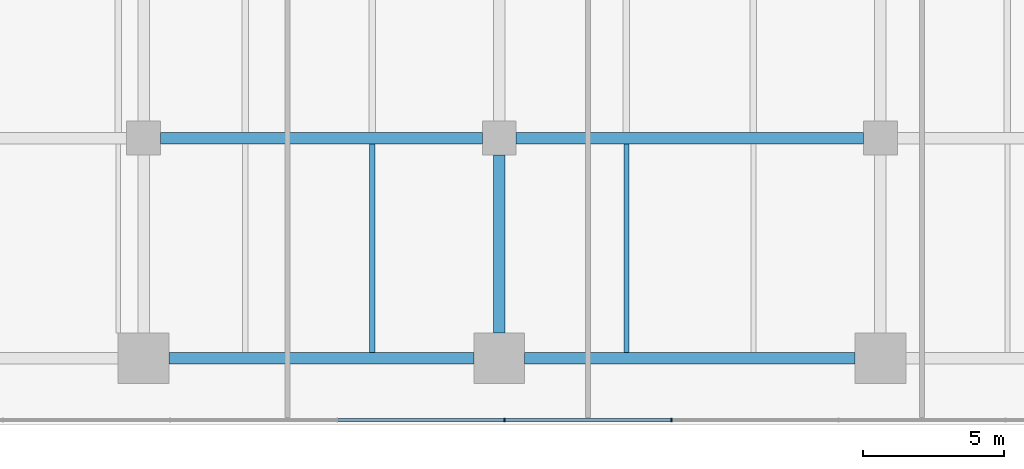
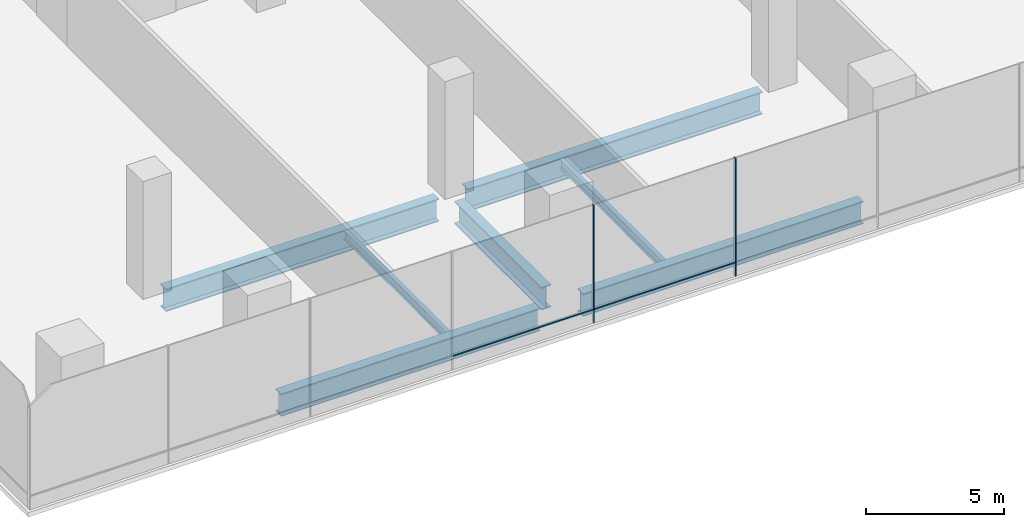
# One storey, part 3 of 26: 7 beams, 4 members, 1 element without a shape of its own.
"""IFC4 building model written with IfcOpenShell, lengths in metres."""

from ifc_helpers import new_model, si_unit, direction, frame, origin, origin_2d, place, context, subcontext, project, spatial, rectangle, i_section, extrude, material, layer, layer_set, material_profile, profile_set, type_object, element, aggregate, save


model = new_model("IFC4")

# Units and contexts
model_context = context("Model", 3, precision=1e-05, world=origin(), true_north=direction((0.0, 1.0)))
body_context = subcontext(model_context, "Body", "Model", "MODEL_VIEW")
ifc_project = project(units=[si_unit("LENGTHUNIT", "METRE"), si_unit("AREAUNIT", "SQUARE_METRE"), si_unit("VOLUMEUNIT", "CUBIC_METRE"), si_unit("PLANEANGLEUNIT", "RADIAN"), si_unit("MASSUNIT", "GRAM", prefix="KILO")], contexts=[model_context])

# Site, building, storey
site_placement = place(None, origin())
site = spatial("IfcSite", under=ifc_project, at=site_placement, CompositionType="ELEMENT")
building_placement = place(site_placement, origin())
building = spatial("IfcBuilding", under=site, at=building_placement, Name="Rattan Terrace Tower", CompositionType="ELEMENT")
storey_placement = place(building_placement, frame((0.0, 0.0, 7.199951171875)))
storey = spatial("IfcBuildingStorey", under=building, at=storey_placement, Name="L01", CompositionType="ELEMENT", Elevation=7.199951171875)

# Beams
ifc_material_1 = material(Name="Steel S355", Category="steel")
ifc_material_profile_1 = material_profile(ifc_material_1, i_section(OverallWidth=0.179931640625, OverallDepth=0.39990234375, WebThickness=0.008544921875, FlangeThickness=0.013427734375, FilletRadius=0.02099609375, at=origin_2d()), Name="IPE 400")
ifc_profile_set_1 = profile_set([ifc_material_profile_1], Name="Steel S355")
beam_type_1 = type_object("IfcBeamType", Name="Frame floor beam IPE 400", PredefinedType="JOIST", material=ifc_profile_set_1)
for number, where, z_axis, x_axis, name in (
    (1, (-18.0, -34.699951171875, -0.39990234375), (0.0, 1.0, 0.0), (-1.0, 0.0, 0.0), "bm-L01-005"),
    (2, (-9.0, -34.699951171875, -0.39990234375), (0.0, 1.0, 0.0), (-1.0, 0.0, 0.0), "bm-L01-006"),
):
    element("IfcBeam", number, at=place(storey_placement, frame(where, z_axis=z_axis, x_axis=x_axis)), inside=storey, type_object=beam_type_1, Name=name, PredefinedType="JOIST", context=body_context, shape_type="SweptSolid", body=[
        extrude(i_section(OverallWidth=0.179931640625, OverallDepth=0.39990234375, WebThickness=0.008544921875, FlangeThickness=0.013427734375, FilletRadius=0.02099609375, at=origin_2d()), origin(), (0.0, 0.0, 1.0), 7.39990234375),
    ])
ifc_material_2 = material(Name="Steel S460", Category="steel")
ifc_material_profile_2 = material_profile(ifc_material_2, i_section(OverallWidth=0.39990234375, OverallDepth=1.0, WebThickness=0.01806640625, FlangeThickness=0.044921875, at=origin_2d()), Name="PG 1000x400-18-45")
ifc_profile_set_2 = profile_set([ifc_material_profile_2], Name="Steel S460")
beam_type_2 = type_object("IfcBeamType", Name="Frame podium girder PG 1000x400-18-45", PredefinedType="USERDEFINED", material=ifc_profile_set_2)
beam_1_placement = place(storey_placement, frame((-25.199951171875, -34.89990234375, -0.699951171875), z_axis=(1.0, 0.0, 0.0), x_axis=(0.0, 1.0, 0.0)))
element("IfcBeam", 3, at=beam_1_placement, inside=storey, type_object=beam_type_2, Name="gdr-L01-002", ObjectType="PODIUM GIRDER", PredefinedType="USERDEFINED", context=body_context, shape_type="SweptSolid", body=[
    extrude(i_section(OverallWidth=0.39990234375, OverallDepth=1.0, WebThickness=0.01806640625, FlangeThickness=0.044921875, at=origin_2d()), origin(), (0.0, 0.0, 1.0), 10.800048828125),
])
beam_2_placement = place(storey_placement, frame((-12.60009765625, -34.89990234375, -0.699951171875), z_axis=(1.0, 0.0, 0.0), x_axis=(0.0, 1.0, 0.0)))
element("IfcBeam", 4, at=beam_2_placement, inside=storey, type_object=beam_type_2, Name="gdr-L01-003", ObjectType="PODIUM GIRDER", PredefinedType="USERDEFINED", context=body_context, shape_type="SweptSolid", body=[
    extrude(i_section(OverallWidth=0.39990234375, OverallDepth=1.0, WebThickness=0.01806640625, FlangeThickness=0.044921875, at=origin_2d()), origin(), (0.0, 0.0, 1.0), 11.7001953125),
])
beam_3_placement = place(storey_placement, frame((-13.5, -34.0, -0.699951171875), z_axis=(0.0, 1.0, 0.0), x_axis=(-1.0, 0.0, 0.0)))
element("IfcBeam", 5, at=beam_3_placement, inside=storey, type_object=beam_type_2, Name="gdr-L01-009", ObjectType="PODIUM GIRDER", PredefinedType="USERDEFINED", context=body_context, shape_type="SweptSolid", body=[
    extrude(i_section(OverallWidth=0.39990234375, OverallDepth=1.0, WebThickness=0.01806640625, FlangeThickness=0.044921875, at=origin_2d()), origin(), (0.0, 0.0, 1.0), 6.300048828125),
])
beam_4_placement = place(storey_placement, frame((-25.5, -27.10009765625, -0.699951171875), z_axis=(1.0, 0.0, 0.0), x_axis=(0.0, 1.0, 0.0)))
element("IfcBeam", 6, at=beam_4_placement, inside=storey, type_object=beam_type_2, Name="gdr-L01-015", ObjectType="PODIUM GIRDER", PredefinedType="USERDEFINED", context=body_context, shape_type="SweptSolid", body=[
    extrude(i_section(OverallWidth=0.39990234375, OverallDepth=1.0, WebThickness=0.01806640625, FlangeThickness=0.044921875, at=origin_2d()), origin(), (0.0, 0.0, 1.0), 11.39990234375),
])
beam_5_placement = place(storey_placement, frame((-12.89990234375, -27.10009765625, -0.699951171875), z_axis=(1.0, 0.0, 0.0), x_axis=(0.0, 1.0, 0.0)))
element("IfcBeam", 7, at=beam_5_placement, inside=storey, type_object=beam_type_2, Name="gdr-L01-016", ObjectType="PODIUM GIRDER", PredefinedType="USERDEFINED", context=body_context, shape_type="SweptSolid", body=[
    extrude(i_section(OverallWidth=0.39990234375, OverallDepth=1.0, WebThickness=0.01806640625, FlangeThickness=0.044921875, at=origin_2d()), origin(), (0.0, 0.0, 1.0), 12.2998046875),
])

# Curtain wall, members
ifc_material_3 = material(Name="Aluminium and glass", Category="aluminium")
ifc_layer = layer(ifc_material_3, 0.1201171875)
ifc_layer_set = layer_set([ifc_layer], Name="Station Storefront Curtain Wall")
curtain_wall_type = type_object("IfcCurtainWallType", Name="Station Storefront Curtain Wall", PredefinedType="NOTDEFINED", material=ifc_layer_set)
curtain_wall_placement = place(storey_placement, origin())
curtain_wall = element("IfcCurtainWall", 8, at=curtain_wall_placement, inside=storey, type_object=curtain_wall_type, Name="Storefront curtain wall L01-4", PredefinedType="NOTDEFINED")
ifc_material_4 = material(Name="Aluminium", Category="aluminium")
ifc_material_profile_3 = material_profile(ifc_material_4, rectangle(XDim=0.050048828125, YDim=0.1201171875, at=origin_2d()), Name="Aluminium 50x120")
ifc_profile_set_3 = profile_set([ifc_material_profile_3], Name="Aluminium")
member_type_1 = type_object("IfcMemberType", Name="Storefront CW Mullion 50x120", PredefinedType="MULLION", material=ifc_profile_set_3)
member_1_placement = place(storey_placement, frame((-13.320068359375, -37.080078125, 0.0), z_axis=(0.0, 0.0, 1.0), x_axis=(1.0, 0.0, 0.0)))
member_1 = element("IfcMember", 9, at=member_1_placement, type_object=member_type_1, Name="Mullion cwl-L01-004.5", PredefinedType="MULLION", context=body_context, shape_type="SweptSolid", body=[
    extrude(rectangle(XDim=0.050048828125, YDim=0.1201171875, at=origin_2d()), origin(), (0.0, 0.0, 1.0), 5.199951171875),
])
member_2_placement = place(storey_placement, frame((-7.39990234375, -37.080078125, 0.0), z_axis=(0.0, 0.0, 1.0), x_axis=(1.0, 0.0, 0.0)))
member_2 = element("IfcMember", 10, at=member_2_placement, type_object=member_type_1, Name="Mullion cwl-L01-004.6", PredefinedType="MULLION", context=body_context, shape_type="SweptSolid", body=[
    extrude(rectangle(XDim=0.050048828125, YDim=0.1201171875, at=origin_2d()), origin(), (0.0, 0.0, 1.0), 5.199951171875),
])
ifc_material_5 = material(Name="Aluminium", Category="aluminium")
ifc_material_profile_4 = material_profile(ifc_material_5, rectangle(XDim=0.10009765625, YDim=0.050048828125, at=origin_2d()), Name="Aluminium 100x50")
ifc_profile_set_4 = profile_set([ifc_material_profile_4], Name="Aluminium")
member_type_2 = type_object("IfcMemberType", Name="Storefront CW Transom 100x50", PredefinedType="USERDEFINED", material=ifc_profile_set_4)
member_3_placement = place(storey_placement, frame((-19.215087890625, -37.080078125, 0.60009765625), z_axis=(1.0, 0.0, 0.0), x_axis=(0.0, 1.0, 0.0)))
member_3 = element("IfcMember", 11, at=member_3_placement, type_object=member_type_2, Name="Transom cwl-L01-004.4", ObjectType="TRANSOM", PredefinedType="USERDEFINED", context=body_context, shape_type="SweptSolid", body=[
    extrude(rectangle(XDim=0.10009765625, YDim=0.050048828125, at=origin_2d()), origin(), (0.0, 0.0, 1.0), 5.8701171875),
])
member_4_placement = place(storey_placement, frame((-13.294921875, -37.080078125, 0.60009765625), z_axis=(1.0, 0.0, 0.0), x_axis=(0.0, 1.0, 0.0)))
member_4 = element("IfcMember", 12, at=member_4_placement, type_object=member_type_2, Name="Transom cwl-L01-004.5", ObjectType="TRANSOM", PredefinedType="USERDEFINED", context=body_context, shape_type="SweptSolid", body=[
    extrude(rectangle(XDim=0.10009765625, YDim=0.050048828125, at=origin_2d()), origin(), (0.0, 0.0, 1.0), 5.869873046875),
])
aggregate(curtain_wall, [member_1, member_2, member_3, member_4])

save(model, "model.ifc")
